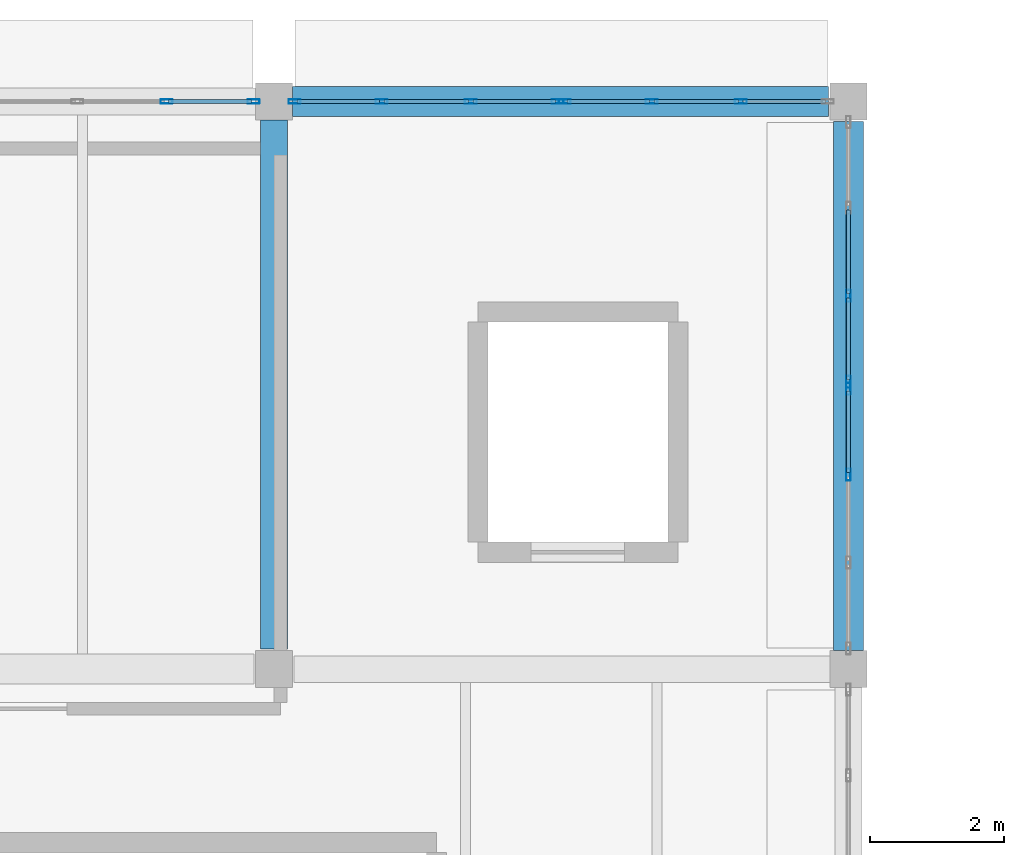
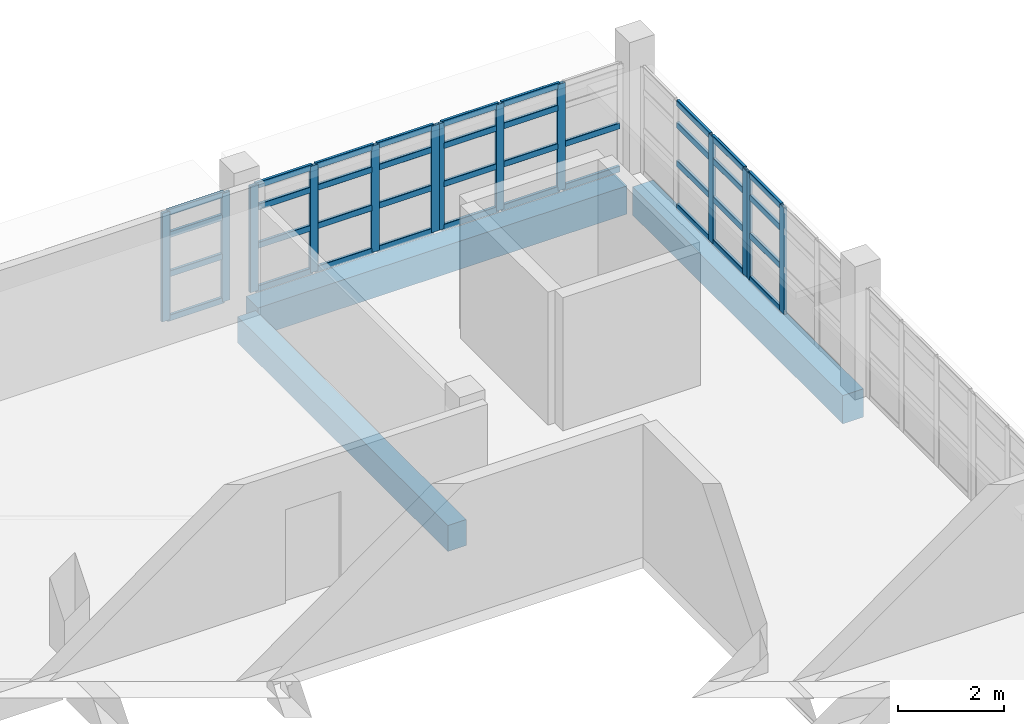
# One storey, part 16 of 34: 51 members, 3 beams, 5 elements without a shape of their own.
"""IFC4 building model written with IfcOpenShell, lengths in metres."""

from ifc_helpers import new_model, si_unit, direction, frame, origin, origin_2d, place, context, subcontext, project, spatial, rectangle, hollow_rectangle, extrude, material, material_profile, profile_set, type_object, element, aggregate, save


model = new_model("IFC4")

# Units and contexts
model_context = context("Model", 3, precision=1e-05, world=origin(), true_north=direction((0.0, 1.0)))
body_context = subcontext(model_context, "Body", "Model", "MODEL_VIEW")
ifc_project = project(units=[si_unit("LENGTHUNIT", "METRE"), si_unit("AREAUNIT", "SQUARE_METRE"), si_unit("VOLUMEUNIT", "CUBIC_METRE"), si_unit("PLANEANGLEUNIT", "RADIAN"), si_unit("MASSUNIT", "GRAM", prefix="KILO")], contexts=[model_context])

# Site, building, storey
site_placement = place(None, origin())
site = spatial("IfcSite", under=ifc_project, at=site_placement, CompositionType="ELEMENT")
building_placement = place(site_placement, origin())
building = spatial("IfcBuilding", under=site, at=building_placement, Name="Varnakota Cinema and Media Centre", CompositionType="ELEMENT")
storey_placement = place(building_placement, frame((0.0, 0.0, 19.050048828125)))
storey = spatial("IfcBuildingStorey", under=building, at=storey_placement, Name="L05", CompositionType="ELEMENT", Elevation=19.050048828125)

# Beams
ifc_material_1 = material(Name="Concrete M35", Category="concrete")
ifc_material_profile_1 = material_profile(ifc_material_1, rectangle(XDim=0.39990234375, YDim=0.60009765625, at=origin_2d()), Name="RCB 400x600")
ifc_profile_set_1 = profile_set([ifc_material_profile_1], Name="Concrete M35")
beam_type_1 = type_object("IfcBeamType", Name="BM-RC-400x600", PredefinedType="BEAM", material=ifc_profile_set_1)
beam_1_placement = place(storey_placement, frame((17.199951171875, 52.800048828125, -0.550048828125), z_axis=(0.0, 1.0, 0.0), x_axis=(-1.0, 0.0, 0.0)))
element("IfcBeam", 1, at=beam_1_placement, inside=storey, type_object=beam_type_1, Name="L05 girder C/7-8", PredefinedType="BEAM", context=body_context, shape_type="SweptSolid", body=[
    extrude(rectangle(XDim=0.39990234375, YDim=0.60009765625, at=origin_2d()), origin(), (0.0, 0.0, 1.0), 7.925048828125),
])
ifc_material_2 = material(Name="Concrete M35", Category="concrete")
ifc_material_profile_2 = material_profile(ifc_material_2, rectangle(XDim=0.449951171875, YDim=0.64990234375, at=origin_2d()), Name="RCB 450x650")
ifc_profile_set_2 = profile_set([ifc_material_profile_2], Name="Concrete M35")
beam_type_2 = type_object("IfcBeamType", Name="BM-RC-450x650", PredefinedType="BEAM", material=ifc_profile_set_2)
beam_2_placement = place(storey_placement, frame((17.47509765625, 61.0, -0.574951171875), z_axis=(1.0, 0.0, 0.0), x_axis=(0.0, 1.0, 0.0)))
element("IfcBeam", 2, at=beam_2_placement, inside=storey, type_object=beam_type_2, Name="L05 girder C-D/8", PredefinedType="BEAM", context=body_context, shape_type="SweptSolid", body=[
    extrude(rectangle(XDim=0.449951171875, YDim=0.64990234375, at=origin_2d()), origin(), (0.0, 0.0, 1.0), 8.02490234375),
])
beam_3_placement = place(storey_placement, frame((25.800048828125, 52.77490234375, -0.574951171875), z_axis=(0.0, 1.0, 0.0), x_axis=(-1.0, 0.0, 0.0)))
element("IfcBeam", 3, at=beam_3_placement, inside=storey, type_object=beam_type_2, Name="L05 girder D/7-8", PredefinedType="BEAM", context=body_context, shape_type="SweptSolid", body=[
    extrude(rectangle(XDim=0.449951171875, YDim=0.64990234375, at=origin_2d()), origin(), (0.0, 0.0, 1.0), 7.925048828125),
])

# Curtain wall, members
ifc_material_3 = material(Name="Thermally broken anodised aluminium AW-6063", Category="aluminium")
curtain_wall_type_1 = type_object("IfcCurtainWallType", Name="CW-STD-396x244", PredefinedType="USERDEFINED", material=ifc_material_3)
curtain_wall_1_placement = place(storey_placement, origin())
curtain_wall_1 = element("IfcCurtainWall", 4, at=curtain_wall_1_placement, inside=storey, type_object=curtain_wall_type_1, Name="L05 curtain wall CW-L05-V5-E-03-1", ObjectType="UNITISED CURTAIN WALL", PredefinedType="USERDEFINED")
ifc_material_4 = material(Name="Thermally broken anodised aluminium AW-6063", Category="aluminium")
ifc_material_profile_3 = material_profile(ifc_material_4, hollow_rectangle(XDim=0.06494140625, YDim=0.179931640625, WallThickness=0.00390625, InnerFilletRadius=0.00390625, OuterFilletRadius=0.008056640625, at=origin_2d()), Name="AL-MULLION 180x65x4")
ifc_profile_set_3 = profile_set([ifc_material_profile_3], Name="Thermally broken anodised aluminium AW-6063")
member_type_1 = type_object("IfcMemberType", Name="CWM-AL-180", PredefinedType="MULLION", material=ifc_profile_set_3)
member_1_placement = place(storey_placement, frame((25.800048828125, 55.41162109375, 0.0), z_axis=(0.0, 0.0, 1.0), x_axis=(-1.0, 0.0, 0.0)))
member_1 = element("IfcMember", 5, at=member_1_placement, type_object=member_type_1, Name="CW53 mullion 3", PredefinedType="MULLION", context=body_context, shape_type="SweptSolid", body=[
    extrude(hollow_rectangle(XDim=0.06494140625, YDim=0.179931640625, WallThickness=0.00390625, InnerFilletRadius=0.00390625, OuterFilletRadius=0.008056640625, at=origin_2d()), origin(), (0.0, 0.0, 1.0), 2.445068359375),
])
member_2_placement = place(storey_placement, frame((25.800048828125, 56.697509765625, 0.0), z_axis=(0.0, 0.0, 1.0), x_axis=(-1.0, 0.0, 0.0)))
member_2 = element("IfcMember", 6, at=member_2_placement, type_object=member_type_1, Name="CW53 mullion 4", PredefinedType="MULLION", context=body_context, shape_type="SweptSolid", body=[
    extrude(hollow_rectangle(XDim=0.06494140625, YDim=0.179931640625, WallThickness=0.00390625, InnerFilletRadius=0.00390625, OuterFilletRadius=0.008056640625, at=origin_2d()), origin(), (0.0, 0.0, 1.0), 2.445068359375),
])

curtain_wall_2_placement = place(storey_placement, origin())
curtain_wall_2 = element("IfcCurtainWall", 7, at=curtain_wall_2_placement, inside=storey, type_object=curtain_wall_type_1, Name="L05 curtain wall CW-L05-V5-E-03-2", ObjectType="UNITISED CURTAIN WALL", PredefinedType="USERDEFINED")
member_3_placement = place(storey_placement, frame((25.800048828125, 56.802490234375, 0.0), z_axis=(0.0, 0.0, 1.0), x_axis=(-1.0, 0.0, 0.0)))
member_3 = element("IfcMember", 8, at=member_3_placement, type_object=member_type_1, Name="CW53 mullion 1", PredefinedType="MULLION", context=body_context, shape_type="SweptSolid", body=[
    extrude(hollow_rectangle(XDim=0.06494140625, YDim=0.179931640625, WallThickness=0.00390625, InnerFilletRadius=0.00390625, OuterFilletRadius=0.008056640625, at=origin_2d()), origin(), (0.0, 0.0, 1.0), 2.445068359375),
])
member_4_placement = place(storey_placement, frame((25.800048828125, 58.08837890625, 0.0), z_axis=(0.0, 0.0, 1.0), x_axis=(-1.0, 0.0, 0.0)))
member_4 = element("IfcMember", 9, at=member_4_placement, type_object=member_type_1, Name="CW53 mullion 2", PredefinedType="MULLION", context=body_context, shape_type="SweptSolid", body=[
    extrude(hollow_rectangle(XDim=0.06494140625, YDim=0.179931640625, WallThickness=0.00390625, InnerFilletRadius=0.00390625, OuterFilletRadius=0.008056640625, at=origin_2d()), origin(), (0.0, 0.0, 1.0), 2.445068359375),
])

ifc_material_5 = material(Name="Thermally broken anodised aluminium AW-6063", Category="aluminium")
curtain_wall_type_2 = type_object("IfcCurtainWallType", Name="CW-STD-401x250", PredefinedType="USERDEFINED", material=ifc_material_5)
curtain_wall_3_placement = place(storey_placement, origin())
curtain_wall_3 = element("IfcCurtainWall", 10, at=curtain_wall_3_placement, inside=storey, type_object=curtain_wall_type_2, Name="L05 curtain wall CW-L05-V5-N-02-2", ObjectType="UNITISED CURTAIN WALL", PredefinedType="USERDEFINED")
member_5_placement = place(storey_placement, frame((15.590087890625, 61.0, 0.0), z_axis=(0.0, 0.0, 1.0), x_axis=(0.0, 1.0, 0.0)))
member_5 = element("IfcMember", 11, at=member_5_placement, type_object=member_type_1, Name="CW54 mullion 3", PredefinedType="MULLION", context=body_context, shape_type="SweptSolid", body=[
    extrude(hollow_rectangle(XDim=0.06494140625, YDim=0.179931640625, WallThickness=0.00390625, InnerFilletRadius=0.00390625, OuterFilletRadius=0.008056640625, at=origin_2d()), origin(), (0.0, 0.0, 1.0), 2.494873046875),
])
member_6_placement = place(storey_placement, frame((16.892578125, 61.0, 0.0), z_axis=(0.0, 0.0, 1.0), x_axis=(0.0, 1.0, 0.0)))
member_6 = element("IfcMember", 12, at=member_6_placement, type_object=member_type_1, Name="CW54 mullion 4", PredefinedType="MULLION", context=body_context, shape_type="SweptSolid", body=[
    extrude(hollow_rectangle(XDim=0.06494140625, YDim=0.179931640625, WallThickness=0.00390625, InnerFilletRadius=0.00390625, OuterFilletRadius=0.008056640625, at=origin_2d()), origin(), (0.0, 0.0, 1.0), 2.494873046875),
])

ifc_material_6 = material(Name="Thermally broken anodised aluminium AW-6063", Category="aluminium")
curtain_wall_type_3 = type_object("IfcCurtainWallType", Name="CW-STD-400x244", PredefinedType="USERDEFINED", material=ifc_material_6)
curtain_wall_4_placement = place(storey_placement, origin())
curtain_wall_4 = element("IfcCurtainWall", 13, at=curtain_wall_4_placement, inside=storey, type_object=curtain_wall_type_3, Name="L05 curtain wall CW-L05-V5-N-03-1", ObjectType="UNITISED CURTAIN WALL", PredefinedType="USERDEFINED")
member_7_placement = place(storey_placement, frame((17.507568359375, 61.0, 0.0), z_axis=(0.0, 0.0, 1.0), x_axis=(0.0, 1.0, 0.0)))
member_7 = element("IfcMember", 14, at=member_7_placement, type_object=member_type_1, Name="CW55 mullion 1", PredefinedType="MULLION", context=body_context, shape_type="SweptSolid", body=[
    extrude(hollow_rectangle(XDim=0.06494140625, YDim=0.179931640625, WallThickness=0.00390625, InnerFilletRadius=0.00390625, OuterFilletRadius=0.008056640625, at=origin_2d()), origin(), (0.0, 0.0, 1.0), 2.445068359375),
])
member_8_placement = place(storey_placement, frame((18.81005859375, 61.0, 0.0), z_axis=(0.0, 0.0, 1.0), x_axis=(0.0, 1.0, 0.0)))
member_8 = element("IfcMember", 15, at=member_8_placement, type_object=member_type_1, Name="CW55 mullion 2", PredefinedType="MULLION", context=body_context, shape_type="SweptSolid", body=[
    extrude(hollow_rectangle(XDim=0.06494140625, YDim=0.179931640625, WallThickness=0.00390625, InnerFilletRadius=0.00390625, OuterFilletRadius=0.008056640625, at=origin_2d()), origin(), (0.0, 0.0, 1.0), 2.445068359375),
])
member_9_placement = place(storey_placement, frame((20.14501953125, 61.0, 0.0), z_axis=(0.0, 0.0, 1.0), x_axis=(0.0, 1.0, 0.0)))
member_9 = element("IfcMember", 16, at=member_9_placement, type_object=member_type_1, Name="CW55 mullion 3", PredefinedType="MULLION", context=body_context, shape_type="SweptSolid", body=[
    extrude(hollow_rectangle(XDim=0.06494140625, YDim=0.179931640625, WallThickness=0.00390625, InnerFilletRadius=0.00390625, OuterFilletRadius=0.008056640625, at=origin_2d()), origin(), (0.0, 0.0, 1.0), 2.445068359375),
])
member_10_placement = place(storey_placement, frame((21.447509765625, 61.0, 0.0), z_axis=(0.0, 0.0, 1.0), x_axis=(0.0, 1.0, 0.0)))
member_10 = element("IfcMember", 17, at=member_10_placement, type_object=member_type_1, Name="CW55 mullion 4", PredefinedType="MULLION", context=body_context, shape_type="SweptSolid", body=[
    extrude(hollow_rectangle(XDim=0.06494140625, YDim=0.179931640625, WallThickness=0.00390625, InnerFilletRadius=0.00390625, OuterFilletRadius=0.008056640625, at=origin_2d()), origin(), (0.0, 0.0, 1.0), 2.445068359375),
])

curtain_wall_5_placement = place(storey_placement, origin())
curtain_wall_5 = element("IfcCurtainWall", 18, at=curtain_wall_5_placement, inside=storey, type_object=curtain_wall_type_3, Name="L05 curtain wall CW-L05-V5-N-03-2", ObjectType="UNITISED CURTAIN WALL", PredefinedType="USERDEFINED")
member_11_placement = place(storey_placement, frame((21.552490234375, 61.0, 0.0), z_axis=(0.0, 0.0, 1.0), x_axis=(0.0, 1.0, 0.0)))
member_11 = element("IfcMember", 19, at=member_11_placement, type_object=member_type_1, Name="CW55 mullion 1", PredefinedType="MULLION", context=body_context, shape_type="SweptSolid", body=[
    extrude(hollow_rectangle(XDim=0.06494140625, YDim=0.179931640625, WallThickness=0.00390625, InnerFilletRadius=0.00390625, OuterFilletRadius=0.008056640625, at=origin_2d()), origin(), (0.0, 0.0, 1.0), 2.445068359375),
])
member_12_placement = place(storey_placement, frame((22.85498046875, 61.0, 0.0), z_axis=(0.0, 0.0, 1.0), x_axis=(0.0, 1.0, 0.0)))
member_12 = element("IfcMember", 20, at=member_12_placement, type_object=member_type_1, Name="CW55 mullion 2", PredefinedType="MULLION", context=body_context, shape_type="SweptSolid", body=[
    extrude(hollow_rectangle(XDim=0.06494140625, YDim=0.179931640625, WallThickness=0.00390625, InnerFilletRadius=0.00390625, OuterFilletRadius=0.008056640625, at=origin_2d()), origin(), (0.0, 0.0, 1.0), 2.445068359375),
])
member_13_placement = place(storey_placement, frame((24.18994140625, 61.0, 0.0), z_axis=(0.0, 0.0, 1.0), x_axis=(0.0, 1.0, 0.0)))
member_13 = element("IfcMember", 21, at=member_13_placement, type_object=member_type_1, Name="CW55 mullion 3", PredefinedType="MULLION", context=body_context, shape_type="SweptSolid", body=[
    extrude(hollow_rectangle(XDim=0.06494140625, YDim=0.179931640625, WallThickness=0.00390625, InnerFilletRadius=0.00390625, OuterFilletRadius=0.008056640625, at=origin_2d()), origin(), (0.0, 0.0, 1.0), 2.445068359375),
])

# Member
ifc_material_7 = material(Name="Thermally broken anodised aluminium AW-6063", Category="aluminium")
ifc_material_profile_4 = material_profile(ifc_material_7, hollow_rectangle(XDim=0.06494140625, YDim=0.139892578125, WallThickness=0.00390625, InnerFilletRadius=0.00390625, OuterFilletRadius=0.008056640625, at=origin_2d()), Name="AL-TRANSOM 140x65x4")
ifc_profile_set_4 = profile_set([ifc_material_profile_4], Name="Thermally broken anodised aluminium AW-6063")
member_type_2 = type_object("IfcMemberType", Name="CWT-AL-140", PredefinedType="USERDEFINED", material=ifc_profile_set_4)
member_14_placement = place(storey_placement, frame((25.800048828125, 55.444091796875, 0.032470703125), z_axis=(0.0, 1.0, 0.0), x_axis=(-1.0, 0.0, 0.0)))
member_14 = element("IfcMember", 22, at=member_14_placement, type_object=member_type_2, Name="CW53 transom 3.1", ObjectType="TRANSOM", PredefinedType="USERDEFINED", context=body_context, shape_type="SweptSolid", body=[
    extrude(hollow_rectangle(XDim=0.06494140625, YDim=0.139892578125, WallThickness=0.00390625, InnerFilletRadius=0.00390625, OuterFilletRadius=0.008056640625, at=origin_2d()), origin(), (0.0, 0.0, 1.0), 1.220947265625),
])

member_15_placement = place(storey_placement, frame((25.800048828125, 55.444091796875, 1.02685546875), z_axis=(0.0, 1.0, 0.0), x_axis=(-1.0, 0.0, 0.0)))
member_15 = element("IfcMember", 23, at=member_15_placement, type_object=member_type_2, Name="CW53 transom 3.2", ObjectType="TRANSOM", PredefinedType="USERDEFINED", context=body_context, shape_type="SweptSolid", body=[
    extrude(hollow_rectangle(XDim=0.06494140625, YDim=0.139892578125, WallThickness=0.00390625, InnerFilletRadius=0.00390625, OuterFilletRadius=0.008056640625, at=origin_2d()), origin(), (0.0, 0.0, 1.0), 1.220947265625),
])

member_16_placement = place(storey_placement, frame((25.800048828125, 55.444091796875, 1.906982421875), z_axis=(0.0, 1.0, 0.0), x_axis=(-1.0, 0.0, 0.0)))
member_16 = element("IfcMember", 24, at=member_16_placement, type_object=member_type_2, Name="CW53 transom 3.3", ObjectType="TRANSOM", PredefinedType="USERDEFINED", context=body_context, shape_type="SweptSolid", body=[
    extrude(hollow_rectangle(XDim=0.06494140625, YDim=0.139892578125, WallThickness=0.00390625, InnerFilletRadius=0.00390625, OuterFilletRadius=0.008056640625, at=origin_2d()), origin(), (0.0, 0.0, 1.0), 1.220947265625),
])

member_17_placement = place(storey_placement, frame((25.800048828125, 55.444091796875, 2.412353515625), z_axis=(0.0, 1.0, 0.0), x_axis=(-1.0, 0.0, 0.0)))
member_17 = element("IfcMember", 25, at=member_17_placement, type_object=member_type_2, Name="CW53 transom 3.4", ObjectType="TRANSOM", PredefinedType="USERDEFINED", context=body_context, shape_type="SweptSolid", body=[
    extrude(hollow_rectangle(XDim=0.06494140625, YDim=0.139892578125, WallThickness=0.00390625, InnerFilletRadius=0.00390625, OuterFilletRadius=0.008056640625, at=origin_2d()), origin(), (0.0, 0.0, 1.0), 1.220947265625),
])

aggregate(curtain_wall_1, [member_1, member_2, member_14, member_15, member_16, member_17])

member_18_placement = place(storey_placement, frame((25.800048828125, 56.8349609375, 0.032470703125), z_axis=(0.0, 1.0, 0.0), x_axis=(-1.0, 0.0, 0.0)))
member_18 = element("IfcMember", 26, at=member_18_placement, type_object=member_type_2, Name="CW53 transom 1.1", ObjectType="TRANSOM", PredefinedType="USERDEFINED", context=body_context, shape_type="SweptSolid", body=[
    extrude(hollow_rectangle(XDim=0.06494140625, YDim=0.139892578125, WallThickness=0.00390625, InnerFilletRadius=0.00390625, OuterFilletRadius=0.008056640625, at=origin_2d()), origin(), (0.0, 0.0, 1.0), 1.220947265625),
])

member_19_placement = place(storey_placement, frame((25.800048828125, 56.8349609375, 1.02685546875), z_axis=(0.0, 1.0, 0.0), x_axis=(-1.0, 0.0, 0.0)))
member_19 = element("IfcMember", 27, at=member_19_placement, type_object=member_type_2, Name="CW53 transom 1.2", ObjectType="TRANSOM", PredefinedType="USERDEFINED", context=body_context, shape_type="SweptSolid", body=[
    extrude(hollow_rectangle(XDim=0.06494140625, YDim=0.139892578125, WallThickness=0.00390625, InnerFilletRadius=0.00390625, OuterFilletRadius=0.008056640625, at=origin_2d()), origin(), (0.0, 0.0, 1.0), 1.220947265625),
])

member_20_placement = place(storey_placement, frame((25.800048828125, 56.8349609375, 1.906982421875), z_axis=(0.0, 1.0, 0.0), x_axis=(-1.0, 0.0, 0.0)))
member_20 = element("IfcMember", 28, at=member_20_placement, type_object=member_type_2, Name="CW53 transom 1.3", ObjectType="TRANSOM", PredefinedType="USERDEFINED", context=body_context, shape_type="SweptSolid", body=[
    extrude(hollow_rectangle(XDim=0.06494140625, YDim=0.139892578125, WallThickness=0.00390625, InnerFilletRadius=0.00390625, OuterFilletRadius=0.008056640625, at=origin_2d()), origin(), (0.0, 0.0, 1.0), 1.220947265625),
])

member_21_placement = place(storey_placement, frame((25.800048828125, 56.8349609375, 2.412353515625), z_axis=(0.0, 1.0, 0.0), x_axis=(-1.0, 0.0, 0.0)))
member_21 = element("IfcMember", 29, at=member_21_placement, type_object=member_type_2, Name="CW53 transom 1.4", ObjectType="TRANSOM", PredefinedType="USERDEFINED", context=body_context, shape_type="SweptSolid", body=[
    extrude(hollow_rectangle(XDim=0.06494140625, YDim=0.139892578125, WallThickness=0.00390625, InnerFilletRadius=0.00390625, OuterFilletRadius=0.008056640625, at=origin_2d()), origin(), (0.0, 0.0, 1.0), 1.220947265625),
])

member_22_placement = place(storey_placement, frame((25.800048828125, 58.120849609375, 0.032470703125), z_axis=(0.0, 1.0, 0.0), x_axis=(-1.0, 0.0, 0.0)))
member_22 = element("IfcMember", 30, at=member_22_placement, type_object=member_type_2, Name="CW53 transom 2.1", ObjectType="TRANSOM", PredefinedType="USERDEFINED", context=body_context, shape_type="SweptSolid", body=[
    extrude(hollow_rectangle(XDim=0.06494140625, YDim=0.139892578125, WallThickness=0.00390625, InnerFilletRadius=0.00390625, OuterFilletRadius=0.008056640625, at=origin_2d()), origin(), (0.0, 0.0, 1.0), 1.25341796875),
])

member_23_placement = place(storey_placement, frame((25.800048828125, 58.120849609375, 1.02685546875), z_axis=(0.0, 1.0, 0.0), x_axis=(-1.0, 0.0, 0.0)))
member_23 = element("IfcMember", 31, at=member_23_placement, type_object=member_type_2, Name="CW53 transom 2.2", ObjectType="TRANSOM", PredefinedType="USERDEFINED", context=body_context, shape_type="SweptSolid", body=[
    extrude(hollow_rectangle(XDim=0.06494140625, YDim=0.139892578125, WallThickness=0.00390625, InnerFilletRadius=0.00390625, OuterFilletRadius=0.008056640625, at=origin_2d()), origin(), (0.0, 0.0, 1.0), 1.25341796875),
])

member_24_placement = place(storey_placement, frame((25.800048828125, 58.120849609375, 1.906982421875), z_axis=(0.0, 1.0, 0.0), x_axis=(-1.0, 0.0, 0.0)))
member_24 = element("IfcMember", 32, at=member_24_placement, type_object=member_type_2, Name="CW53 transom 2.3", ObjectType="TRANSOM", PredefinedType="USERDEFINED", context=body_context, shape_type="SweptSolid", body=[
    extrude(hollow_rectangle(XDim=0.06494140625, YDim=0.139892578125, WallThickness=0.00390625, InnerFilletRadius=0.00390625, OuterFilletRadius=0.008056640625, at=origin_2d()), origin(), (0.0, 0.0, 1.0), 1.25341796875),
])

member_25_placement = place(storey_placement, frame((25.800048828125, 58.120849609375, 2.412353515625), z_axis=(0.0, 1.0, 0.0), x_axis=(-1.0, 0.0, 0.0)))
member_25 = element("IfcMember", 33, at=member_25_placement, type_object=member_type_2, Name="CW53 transom 2.4", ObjectType="TRANSOM", PredefinedType="USERDEFINED", context=body_context, shape_type="SweptSolid", body=[
    extrude(hollow_rectangle(XDim=0.06494140625, YDim=0.139892578125, WallThickness=0.00390625, InnerFilletRadius=0.00390625, OuterFilletRadius=0.008056640625, at=origin_2d()), origin(), (0.0, 0.0, 1.0), 1.25341796875),
])

aggregate(curtain_wall_2, [member_3, member_4, member_18, member_19, member_20, member_21, member_22, member_23, member_24, member_25])

member_26_placement = place(storey_placement, frame((15.62255859375, 61.0, 0.032470703125), z_axis=(1.0, 0.0, 0.0), x_axis=(0.0, 1.0, 0.0)))
member_26 = element("IfcMember", 34, at=member_26_placement, type_object=member_type_2, Name="CW54 transom 3.1", ObjectType="TRANSOM", PredefinedType="USERDEFINED", context=body_context, shape_type="SweptSolid", body=[
    extrude(hollow_rectangle(XDim=0.06494140625, YDim=0.139892578125, WallThickness=0.00390625, InnerFilletRadius=0.00390625, OuterFilletRadius=0.008056640625, at=origin_2d()), origin(), (0.0, 0.0, 1.0), 1.237548828125),
])

member_27_placement = place(storey_placement, frame((15.62255859375, 61.0, 1.0478515625), z_axis=(1.0, 0.0, 0.0), x_axis=(0.0, 1.0, 0.0)))
member_27 = element("IfcMember", 35, at=member_27_placement, type_object=member_type_2, Name="CW54 transom 3.2", ObjectType="TRANSOM", PredefinedType="USERDEFINED", context=body_context, shape_type="SweptSolid", body=[
    extrude(hollow_rectangle(XDim=0.06494140625, YDim=0.139892578125, WallThickness=0.00390625, InnerFilletRadius=0.00390625, OuterFilletRadius=0.008056640625, at=origin_2d()), origin(), (0.0, 0.0, 1.0), 1.237548828125),
])

member_28_placement = place(storey_placement, frame((15.62255859375, 61.0, 1.946044921875), z_axis=(1.0, 0.0, 0.0), x_axis=(0.0, 1.0, 0.0)))
member_28 = element("IfcMember", 36, at=member_28_placement, type_object=member_type_2, Name="CW54 transom 3.3", ObjectType="TRANSOM", PredefinedType="USERDEFINED", context=body_context, shape_type="SweptSolid", body=[
    extrude(hollow_rectangle(XDim=0.06494140625, YDim=0.139892578125, WallThickness=0.00390625, InnerFilletRadius=0.00390625, OuterFilletRadius=0.008056640625, at=origin_2d()), origin(), (0.0, 0.0, 1.0), 1.237548828125),
])

member_29_placement = place(storey_placement, frame((15.62255859375, 61.0, 2.46240234375), z_axis=(1.0, 0.0, 0.0), x_axis=(0.0, 1.0, 0.0)))
member_29 = element("IfcMember", 37, at=member_29_placement, type_object=member_type_2, Name="CW54 transom 3.4", ObjectType="TRANSOM", PredefinedType="USERDEFINED", context=body_context, shape_type="SweptSolid", body=[
    extrude(hollow_rectangle(XDim=0.06494140625, YDim=0.139892578125, WallThickness=0.00390625, InnerFilletRadius=0.00390625, OuterFilletRadius=0.008056640625, at=origin_2d()), origin(), (0.0, 0.0, 1.0), 1.237548828125),
])

aggregate(curtain_wall_3, [member_5, member_6, member_26, member_27, member_28, member_29])

member_30_placement = place(storey_placement, frame((17.5400390625, 61.0, 0.032470703125), z_axis=(1.0, 0.0, 0.0), x_axis=(0.0, 1.0, 0.0)))
member_30 = element("IfcMember", 38, at=member_30_placement, type_object=member_type_2, Name="CW55 transom 1.1", ObjectType="TRANSOM", PredefinedType="USERDEFINED", context=body_context, shape_type="SweptSolid", body=[
    extrude(hollow_rectangle(XDim=0.06494140625, YDim=0.139892578125, WallThickness=0.00390625, InnerFilletRadius=0.00390625, OuterFilletRadius=0.008056640625, at=origin_2d()), origin(), (0.0, 0.0, 1.0), 1.237548828125),
])

member_31_placement = place(storey_placement, frame((17.5400390625, 61.0, 1.02685546875), z_axis=(1.0, 0.0, 0.0), x_axis=(0.0, 1.0, 0.0)))
member_31 = element("IfcMember", 39, at=member_31_placement, type_object=member_type_2, Name="CW55 transom 1.2", ObjectType="TRANSOM", PredefinedType="USERDEFINED", context=body_context, shape_type="SweptSolid", body=[
    extrude(hollow_rectangle(XDim=0.06494140625, YDim=0.139892578125, WallThickness=0.00390625, InnerFilletRadius=0.00390625, OuterFilletRadius=0.008056640625, at=origin_2d()), origin(), (0.0, 0.0, 1.0), 1.237548828125),
])

member_32_placement = place(storey_placement, frame((17.5400390625, 61.0, 1.906982421875), z_axis=(1.0, 0.0, 0.0), x_axis=(0.0, 1.0, 0.0)))
member_32 = element("IfcMember", 40, at=member_32_placement, type_object=member_type_2, Name="CW55 transom 1.3", ObjectType="TRANSOM", PredefinedType="USERDEFINED", context=body_context, shape_type="SweptSolid", body=[
    extrude(hollow_rectangle(XDim=0.06494140625, YDim=0.139892578125, WallThickness=0.00390625, InnerFilletRadius=0.00390625, OuterFilletRadius=0.008056640625, at=origin_2d()), origin(), (0.0, 0.0, 1.0), 1.237548828125),
])

member_33_placement = place(storey_placement, frame((17.5400390625, 61.0, 2.412353515625), z_axis=(1.0, 0.0, 0.0), x_axis=(0.0, 1.0, 0.0)))
member_33 = element("IfcMember", 41, at=member_33_placement, type_object=member_type_2, Name="CW55 transom 1.4", ObjectType="TRANSOM", PredefinedType="USERDEFINED", context=body_context, shape_type="SweptSolid", body=[
    extrude(hollow_rectangle(XDim=0.06494140625, YDim=0.139892578125, WallThickness=0.00390625, InnerFilletRadius=0.00390625, OuterFilletRadius=0.008056640625, at=origin_2d()), origin(), (0.0, 0.0, 1.0), 1.237548828125),
])

member_34_placement = place(storey_placement, frame((18.842529296875, 61.0, 0.032470703125), z_axis=(1.0, 0.0, 0.0), x_axis=(0.0, 1.0, 0.0)))
member_34 = element("IfcMember", 42, at=member_34_placement, type_object=member_type_2, Name="CW55 transom 2.1", ObjectType="TRANSOM", PredefinedType="USERDEFINED", context=body_context, shape_type="SweptSolid", body=[
    extrude(hollow_rectangle(XDim=0.06494140625, YDim=0.139892578125, WallThickness=0.00390625, InnerFilletRadius=0.00390625, OuterFilletRadius=0.008056640625, at=origin_2d()), origin(), (0.0, 0.0, 1.0), 1.27001953125),
])

member_35_placement = place(storey_placement, frame((18.842529296875, 61.0, 1.02685546875), z_axis=(1.0, 0.0, 0.0), x_axis=(0.0, 1.0, 0.0)))
member_35 = element("IfcMember", 43, at=member_35_placement, type_object=member_type_2, Name="CW55 transom 2.2", ObjectType="TRANSOM", PredefinedType="USERDEFINED", context=body_context, shape_type="SweptSolid", body=[
    extrude(hollow_rectangle(XDim=0.06494140625, YDim=0.139892578125, WallThickness=0.00390625, InnerFilletRadius=0.00390625, OuterFilletRadius=0.008056640625, at=origin_2d()), origin(), (0.0, 0.0, 1.0), 1.27001953125),
])

member_36_placement = place(storey_placement, frame((18.842529296875, 61.0, 1.906982421875), z_axis=(1.0, 0.0, 0.0), x_axis=(0.0, 1.0, 0.0)))
member_36 = element("IfcMember", 44, at=member_36_placement, type_object=member_type_2, Name="CW55 transom 2.3", ObjectType="TRANSOM", PredefinedType="USERDEFINED", context=body_context, shape_type="SweptSolid", body=[
    extrude(hollow_rectangle(XDim=0.06494140625, YDim=0.139892578125, WallThickness=0.00390625, InnerFilletRadius=0.00390625, OuterFilletRadius=0.008056640625, at=origin_2d()), origin(), (0.0, 0.0, 1.0), 1.27001953125),
])

member_37_placement = place(storey_placement, frame((18.842529296875, 61.0, 2.412353515625), z_axis=(1.0, 0.0, 0.0), x_axis=(0.0, 1.0, 0.0)))
member_37 = element("IfcMember", 45, at=member_37_placement, type_object=member_type_2, Name="CW55 transom 2.4", ObjectType="TRANSOM", PredefinedType="USERDEFINED", context=body_context, shape_type="SweptSolid", body=[
    extrude(hollow_rectangle(XDim=0.06494140625, YDim=0.139892578125, WallThickness=0.00390625, InnerFilletRadius=0.00390625, OuterFilletRadius=0.008056640625, at=origin_2d()), origin(), (0.0, 0.0, 1.0), 1.27001953125),
])

member_38_placement = place(storey_placement, frame((20.177490234375, 61.0, 0.032470703125), z_axis=(1.0, 0.0, 0.0), x_axis=(0.0, 1.0, 0.0)))
member_38 = element("IfcMember", 46, at=member_38_placement, type_object=member_type_2, Name="CW55 transom 3.1", ObjectType="TRANSOM", PredefinedType="USERDEFINED", context=body_context, shape_type="SweptSolid", body=[
    extrude(hollow_rectangle(XDim=0.06494140625, YDim=0.139892578125, WallThickness=0.00390625, InnerFilletRadius=0.00390625, OuterFilletRadius=0.008056640625, at=origin_2d()), origin(), (0.0, 0.0, 1.0), 1.237548828125),
])

member_39_placement = place(storey_placement, frame((20.177490234375, 61.0, 1.02685546875), z_axis=(1.0, 0.0, 0.0), x_axis=(0.0, 1.0, 0.0)))
member_39 = element("IfcMember", 47, at=member_39_placement, type_object=member_type_2, Name="CW55 transom 3.2", ObjectType="TRANSOM", PredefinedType="USERDEFINED", context=body_context, shape_type="SweptSolid", body=[
    extrude(hollow_rectangle(XDim=0.06494140625, YDim=0.139892578125, WallThickness=0.00390625, InnerFilletRadius=0.00390625, OuterFilletRadius=0.008056640625, at=origin_2d()), origin(), (0.0, 0.0, 1.0), 1.237548828125),
])

member_40_placement = place(storey_placement, frame((20.177490234375, 61.0, 1.906982421875), z_axis=(1.0, 0.0, 0.0), x_axis=(0.0, 1.0, 0.0)))
member_40 = element("IfcMember", 48, at=member_40_placement, type_object=member_type_2, Name="CW55 transom 3.3", ObjectType="TRANSOM", PredefinedType="USERDEFINED", context=body_context, shape_type="SweptSolid", body=[
    extrude(hollow_rectangle(XDim=0.06494140625, YDim=0.139892578125, WallThickness=0.00390625, InnerFilletRadius=0.00390625, OuterFilletRadius=0.008056640625, at=origin_2d()), origin(), (0.0, 0.0, 1.0), 1.237548828125),
])

member_41_placement = place(storey_placement, frame((20.177490234375, 61.0, 2.412353515625), z_axis=(1.0, 0.0, 0.0), x_axis=(0.0, 1.0, 0.0)))
member_41 = element("IfcMember", 49, at=member_41_placement, type_object=member_type_2, Name="CW55 transom 3.4", ObjectType="TRANSOM", PredefinedType="USERDEFINED", context=body_context, shape_type="SweptSolid", body=[
    extrude(hollow_rectangle(XDim=0.06494140625, YDim=0.139892578125, WallThickness=0.00390625, InnerFilletRadius=0.00390625, OuterFilletRadius=0.008056640625, at=origin_2d()), origin(), (0.0, 0.0, 1.0), 1.237548828125),
])

aggregate(curtain_wall_4, [member_7, member_8, member_9, member_10, member_30, member_31, member_32, member_33, member_34, member_35, member_36, member_37, member_38, member_39, member_40, member_41])

member_42_placement = place(storey_placement, frame((21.5849609375, 61.0, 0.032470703125), z_axis=(1.0, 0.0, 0.0), x_axis=(0.0, 1.0, 0.0)))
member_42 = element("IfcMember", 50, at=member_42_placement, type_object=member_type_2, Name="CW55 transom 1.1", ObjectType="TRANSOM", PredefinedType="USERDEFINED", context=body_context, shape_type="SweptSolid", body=[
    extrude(hollow_rectangle(XDim=0.06494140625, YDim=0.139892578125, WallThickness=0.00390625, InnerFilletRadius=0.00390625, OuterFilletRadius=0.008056640625, at=origin_2d()), origin(), (0.0, 0.0, 1.0), 1.237548828125),
])

member_43_placement = place(storey_placement, frame((21.5849609375, 61.0, 1.02685546875), z_axis=(1.0, 0.0, 0.0), x_axis=(0.0, 1.0, 0.0)))
member_43 = element("IfcMember", 51, at=member_43_placement, type_object=member_type_2, Name="CW55 transom 1.2", ObjectType="TRANSOM", PredefinedType="USERDEFINED", context=body_context, shape_type="SweptSolid", body=[
    extrude(hollow_rectangle(XDim=0.06494140625, YDim=0.139892578125, WallThickness=0.00390625, InnerFilletRadius=0.00390625, OuterFilletRadius=0.008056640625, at=origin_2d()), origin(), (0.0, 0.0, 1.0), 1.237548828125),
])

member_44_placement = place(storey_placement, frame((21.5849609375, 61.0, 1.906982421875), z_axis=(1.0, 0.0, 0.0), x_axis=(0.0, 1.0, 0.0)))
member_44 = element("IfcMember", 52, at=member_44_placement, type_object=member_type_2, Name="CW55 transom 1.3", ObjectType="TRANSOM", PredefinedType="USERDEFINED", context=body_context, shape_type="SweptSolid", body=[
    extrude(hollow_rectangle(XDim=0.06494140625, YDim=0.139892578125, WallThickness=0.00390625, InnerFilletRadius=0.00390625, OuterFilletRadius=0.008056640625, at=origin_2d()), origin(), (0.0, 0.0, 1.0), 1.237548828125),
])

member_45_placement = place(storey_placement, frame((21.5849609375, 61.0, 2.412353515625), z_axis=(1.0, 0.0, 0.0), x_axis=(0.0, 1.0, 0.0)))
member_45 = element("IfcMember", 53, at=member_45_placement, type_object=member_type_2, Name="CW55 transom 1.4", ObjectType="TRANSOM", PredefinedType="USERDEFINED", context=body_context, shape_type="SweptSolid", body=[
    extrude(hollow_rectangle(XDim=0.06494140625, YDim=0.139892578125, WallThickness=0.00390625, InnerFilletRadius=0.00390625, OuterFilletRadius=0.008056640625, at=origin_2d()), origin(), (0.0, 0.0, 1.0), 1.237548828125),
])

member_46_placement = place(storey_placement, frame((22.887451171875, 61.0, 0.032470703125), z_axis=(1.0, 0.0, 0.0), x_axis=(0.0, 1.0, 0.0)))
member_46 = element("IfcMember", 54, at=member_46_placement, type_object=member_type_2, Name="CW55 transom 2.1", ObjectType="TRANSOM", PredefinedType="USERDEFINED", context=body_context, shape_type="SweptSolid", body=[
    extrude(hollow_rectangle(XDim=0.06494140625, YDim=0.139892578125, WallThickness=0.00390625, InnerFilletRadius=0.00390625, OuterFilletRadius=0.008056640625, at=origin_2d()), origin(), (0.0, 0.0, 1.0), 1.27001953125),
])

member_47_placement = place(storey_placement, frame((22.887451171875, 61.0, 1.02685546875), z_axis=(1.0, 0.0, 0.0), x_axis=(0.0, 1.0, 0.0)))
member_47 = element("IfcMember", 55, at=member_47_placement, type_object=member_type_2, Name="CW55 transom 2.2", ObjectType="TRANSOM", PredefinedType="USERDEFINED", context=body_context, shape_type="SweptSolid", body=[
    extrude(hollow_rectangle(XDim=0.06494140625, YDim=0.139892578125, WallThickness=0.00390625, InnerFilletRadius=0.00390625, OuterFilletRadius=0.008056640625, at=origin_2d()), origin(), (0.0, 0.0, 1.0), 1.27001953125),
])

member_48_placement = place(storey_placement, frame((22.887451171875, 61.0, 1.906982421875), z_axis=(1.0, 0.0, 0.0), x_axis=(0.0, 1.0, 0.0)))
member_48 = element("IfcMember", 56, at=member_48_placement, type_object=member_type_2, Name="CW55 transom 2.3", ObjectType="TRANSOM", PredefinedType="USERDEFINED", context=body_context, shape_type="SweptSolid", body=[
    extrude(hollow_rectangle(XDim=0.06494140625, YDim=0.139892578125, WallThickness=0.00390625, InnerFilletRadius=0.00390625, OuterFilletRadius=0.008056640625, at=origin_2d()), origin(), (0.0, 0.0, 1.0), 1.27001953125),
])

member_49_placement = place(storey_placement, frame((22.887451171875, 61.0, 2.412353515625), z_axis=(1.0, 0.0, 0.0), x_axis=(0.0, 1.0, 0.0)))
member_49 = element("IfcMember", 57, at=member_49_placement, type_object=member_type_2, Name="CW55 transom 2.4", ObjectType="TRANSOM", PredefinedType="USERDEFINED", context=body_context, shape_type="SweptSolid", body=[
    extrude(hollow_rectangle(XDim=0.06494140625, YDim=0.139892578125, WallThickness=0.00390625, InnerFilletRadius=0.00390625, OuterFilletRadius=0.008056640625, at=origin_2d()), origin(), (0.0, 0.0, 1.0), 1.27001953125),
])

member_50_placement = place(storey_placement, frame((24.222412109375, 61.0, 0.032470703125), z_axis=(1.0, 0.0, 0.0), x_axis=(0.0, 1.0, 0.0)))
member_50 = element("IfcMember", 58, at=member_50_placement, type_object=member_type_2, Name="CW55 transom 3.1", ObjectType="TRANSOM", PredefinedType="USERDEFINED", context=body_context, shape_type="SweptSolid", body=[
    extrude(hollow_rectangle(XDim=0.06494140625, YDim=0.139892578125, WallThickness=0.00390625, InnerFilletRadius=0.00390625, OuterFilletRadius=0.008056640625, at=origin_2d()), origin(), (0.0, 0.0, 1.0), 1.237548828125),
])

member_51_placement = place(storey_placement, frame((24.222412109375, 61.0, 1.02685546875), z_axis=(1.0, 0.0, 0.0), x_axis=(0.0, 1.0, 0.0)))
member_51 = element("IfcMember", 59, at=member_51_placement, type_object=member_type_2, Name="CW55 transom 3.2", ObjectType="TRANSOM", PredefinedType="USERDEFINED", context=body_context, shape_type="SweptSolid", body=[
    extrude(hollow_rectangle(XDim=0.06494140625, YDim=0.139892578125, WallThickness=0.00390625, InnerFilletRadius=0.00390625, OuterFilletRadius=0.008056640625, at=origin_2d()), origin(), (0.0, 0.0, 1.0), 1.237548828125),
])

aggregate(curtain_wall_5, [member_11, member_12, member_13, member_42, member_43, member_44, member_45, member_46, member_47, member_48, member_49, member_50, member_51])

save(model, "model.ifc")
